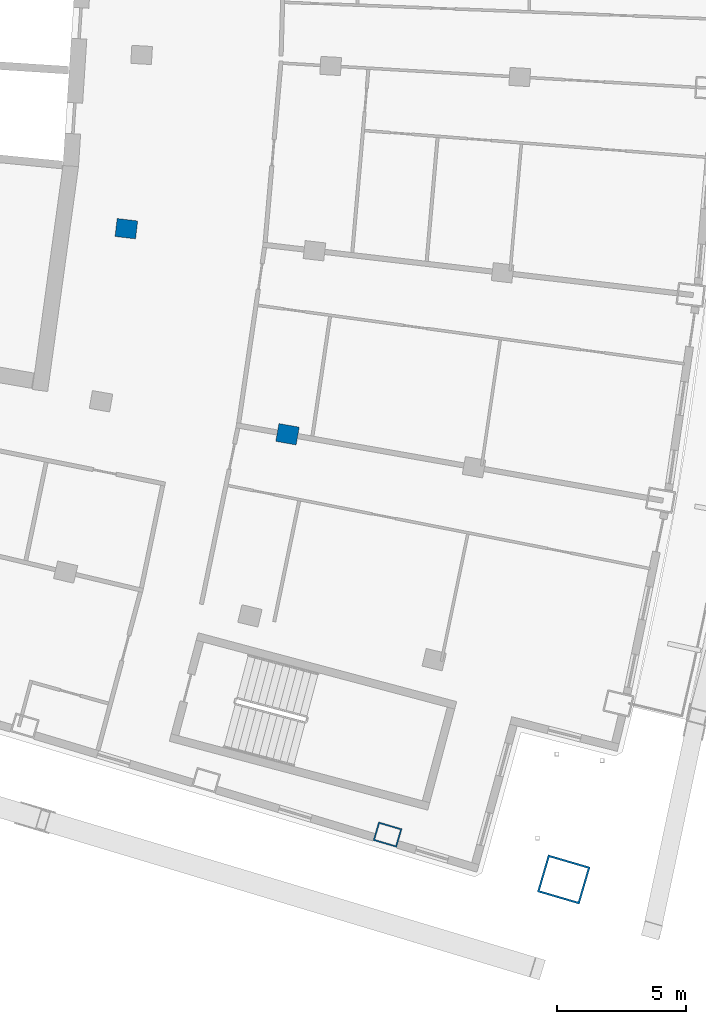
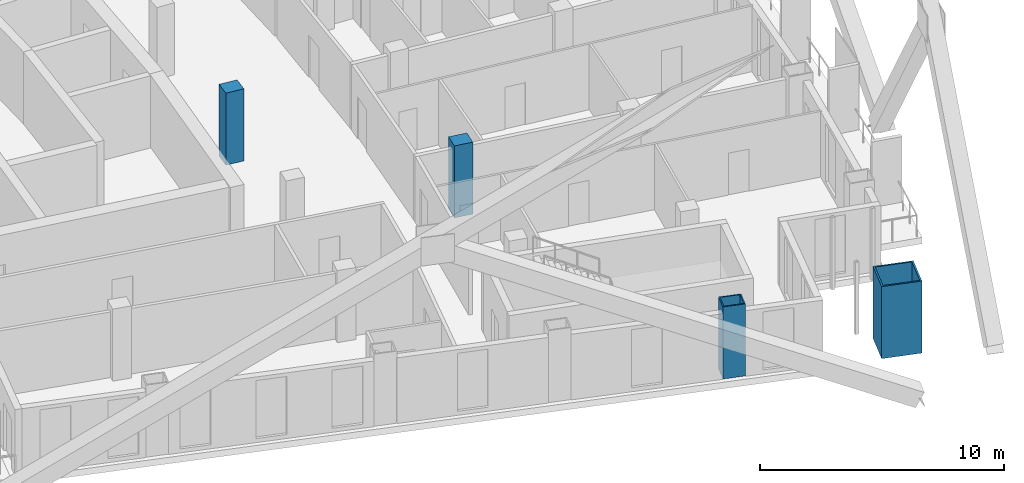
# One storey, part 4 of 20: 4 columns.
"""IFC4 building model written with IfcOpenShell, lengths in metres."""

import ifcopenshell
import ifcopenshell.guid

model = None  # the IFC model being written
_history = None  # IfcOwnerHistory: only IFC2X3 demands one
_inside = {}  # id of a spatial element -> (the spatial element, [elements in it])
_under = {}  # id of a project, library or spatial element -> (it, [spatial elements below it])
_declared = {}  # id of a project -> (the project, [libraries it declares])
_typed = {}  # id of a type object -> (the type object, [elements of that type])
_made_of = {}  # id of a material, layer set ... -> (it, [elements and type objects made of it])


def new_model(schema):
    """Start an empty IFC model of exactly this schema.

    Asked for "IFC4X3", IfcOpenShell would pick the latest addendum, in which some entities
    have other attributes; the version numbers below select the first issue.
    IFC2X3 requires an IfcOwnerHistory on every rooted entity: one is made here for all.
    """
    global model, _history
    if schema == "IFC4X3":
        model = ifcopenshell.file(schema_version=(4, 3, 0, 0))
    else:
        model = ifcopenshell.file(schema=schema)
    _inside.clear()
    _under.clear()
    _declared.clear()
    _typed.clear()
    _made_of.clear()
    _history = None
    if model.schema == "IFC2X3":
        org = make("IfcOrganization", Name="unknown")
        user = make(
            "IfcPersonAndOrganization",
            ThePerson=make("IfcPerson", FamilyName="unknown"),
            TheOrganization=org,
        )
        app = make(
            "IfcApplication",
            ApplicationDeveloper=org,
            Version="unknown",
            ApplicationFullName="unknown",
            ApplicationIdentifier="unknown",
        )
        _history = make(
            "IfcOwnerHistory",
            OwningUser=user,
            OwningApplication=app,
            ChangeAction="ADDED",
            CreationDate=0,
        )
    return model


def make(cls, **values):
    """One entity of the class cls with the attributes given. An attribute that is None is left unset."""
    return model.create_entity(
        cls, **{name: value for name, value in values.items() if value is not None}
    )


def rooted(cls, **values):
    """An entity with a GlobalId (a new one), such as an element, a storey or a relation."""
    return make(cls, GlobalId=ifcopenshell.guid.new(), OwnerHistory=_history, **values)


def si_unit(unit_type, name, prefix=None):
    """IfcSIUnit, for example si_unit("LENGTHUNIT", "METRE", prefix="MILLI")."""
    return make("IfcSIUnit", UnitType=unit_type, Prefix=prefix, Name=name)


def assignment(units):
    """IfcUnitAssignment: the units of a project."""
    return None if units is None else make("IfcUnitAssignment", Units=units)


def point(xyz):
    """IfcCartesianPoint."""
    return None if xyz is None else make("IfcCartesianPoint", Coordinates=xyz)


def direction(xyz):
    """IfcDirection."""
    return None if xyz is None else make("IfcDirection", DirectionRatios=xyz)


def frame(location, z_axis=None, x_axis=None):
    """IfcAxis2Placement3D, a coordinate frame: its origin and axes. An axis left out is left unset."""
    return make(
        "IfcAxis2Placement3D",
        Location=point(location),
        Axis=direction(z_axis),
        RefDirection=direction(x_axis),
    )


def frame_2d(location, x_axis=None):
    """IfcAxis2Placement2D, a coordinate frame in the plane: its origin and x axis."""
    return make(
        "IfcAxis2Placement2D", Location=point(location), RefDirection=direction(x_axis)
    )


def origin():
    """The frame at (0, 0, 0) with its axes left unset."""
    return frame((0.0, 0.0, 0.0))


def origin_2d():
    """The frame at (0, 0) in the plane with its x axis left unset."""
    return frame_2d((0.0, 0.0))


def place(relative_to, where):
    """IfcLocalPlacement: puts the frame where relative to a parent placement (None: the world)."""
    return make(
        "IfcLocalPlacement", PlacementRelTo=relative_to, RelativePlacement=where
    )


def context(
    kind, dimensions, precision=None, world=None, true_north=None, identifier=None
):
    """IfcGeometricRepresentationContext, for example the 3D "Model" context."""
    return make(
        "IfcGeometricRepresentationContext",
        ContextIdentifier=identifier,
        ContextType=kind,
        CoordinateSpaceDimension=dimensions,
        Precision=precision,
        WorldCoordinateSystem=world,
        TrueNorth=true_north,
    )


def subcontext(parent, identifier, kind, view, scale=None):
    """IfcGeometricRepresentationSubContext, for example "Body" below "Model"."""
    return make(
        "IfcGeometricRepresentationSubContext",
        ContextIdentifier=identifier,
        ContextType=kind,
        ParentContext=parent,
        TargetScale=scale,
        TargetView=view,
    )


def project(units=None, contexts=None):
    """IfcProject with its units and contexts."""
    return rooted(
        "IfcProject",
        Name="project",
        RepresentationContexts=contexts,
        UnitsInContext=assignment(units),
    )


def spatial(cls, under=None, at=None, **own):
    """A site, building, storey or space (cls), placed at a placement, below another one or the project."""
    s = rooted(cls, ObjectPlacement=at, **own)
    if under is not None:
        _under.setdefault(under.id(), (under, []))[1].append(s)
    return s


def profile(cls, at=None, kind="AREA", **sizes):
    """A parametric profile (cls). Its sizes go by their IFC names, for example OverallWidth=200.0."""
    return make(cls, ProfileType=kind, Position=at, **sizes)


def rectangle(**sizes):
    """IfcRectangleProfileDef."""
    return profile("IfcRectangleProfileDef", **sizes)


def hollow_rectangle(**sizes):
    """IfcRectangleHollowProfileDef."""
    return profile("IfcRectangleHollowProfileDef", **sizes)


def extrude(swept, where, along, depth):
    """IfcExtrudedAreaSolid: the profile swept, set in the frame where, extruded along a direction by depth."""
    return make(
        "IfcExtrudedAreaSolid",
        SweptArea=swept,
        Position=where,
        ExtrudedDirection=direction(along),
        Depth=depth,
    )


def shape(context_of_items, identifier, shape_type, items):
    """IfcShapeRepresentation: the items that make up one representation, for example the "Body"."""
    return make(
        "IfcShapeRepresentation",
        ContextOfItems=context_of_items,
        RepresentationIdentifier=identifier,
        RepresentationType=shape_type,
        Items=items,
    )


def material(Name=None, Category=None):
    """IfcMaterial."""
    return make("IfcMaterial", Name=Name, Category=Category)


def material_profile(
    of_material, cross_section, Name=None, Category=None, Priority=None
):
    """IfcMaterialProfile: a cross section and its material."""
    return make(
        "IfcMaterialProfile",
        Name=Name,
        Material=of_material,
        Profile=cross_section,
        Priority=Priority,
        Category=Category,
    )


def profile_set(profiles, Name=None, composite=None):
    """IfcMaterialProfileSet."""
    return make(
        "IfcMaterialProfileSet",
        Name=Name,
        MaterialProfiles=profiles,
        CompositeProfile=composite,
    )


def made_of(thing, what):
    """Note that an element or type object is made of a material, layer set ...; save() writes the relation."""
    if what is not None:
        _made_of.setdefault(what.id(), (what, []))[1].append(thing)
    return thing


def type_object(cls, material=None, **own):
    """A type object (cls), such as IfcWallType, which elements share."""
    return made_of(rooted(cls, **own), material)


def element(
    cls,
    number,
    at=None,
    inside=None,
    cuts=None,
    type_object=None,
    material=None,
    context=None,
    identifier="Body",
    shape_type=None,
    held_by="IfcProductDefinitionShape",
    body=None,
    shapes=None,
    **own,
):
    """One element of the class cls, such as IfcWall. Its Tag is "e" and its number.

    at: its placement. inside: the storey or other place that contains it. cuts: it is an
    opening in that element (IfcRelVoidsElement). A single representation is given by context,
    identifier, shape_type and body (its items); several are given by shapes. held_by: the class
    of the entity that holds the representations. save() writes the other relations.
    """
    e = rooted(cls, Tag="e%d" % number, ObjectPlacement=at, **own)
    if body is not None:
        shapes = [shape(context, identifier, shape_type, body)]
    if shapes is not None:
        e.Representation = make(held_by, Representations=shapes)
    if inside is not None:
        _inside.setdefault(inside.id(), (inside, []))[1].append(e)
    if cuts is not None:
        rooted(
            "IfcRelVoidsElement", RelatingBuildingElement=cuts, RelatedOpeningElement=e
        )
    if type_object is not None:
        _typed.setdefault(type_object.id(), (type_object, []))[1].append(e)
    return made_of(e, material)


def aggregate(whole, parts):
    """IfcRelAggregates: a whole, such as a stair, and the parts it consists of."""
    return rooted("IfcRelAggregates", RelatingObject=whole, RelatedObjects=parts)


def save(model, path):
    """Write the relations noted so far, then the file.

    IfcRelAggregates (storeys below a building ...), IfcRelContainedInSpatialStructure (elements
    in a storey), IfcRelDefinesByType, IfcRelAssociatesMaterial and IfcRelDeclares: one each for
    every whole, place, type object, material and project.
    """
    for whole, parts in _under.values():
        aggregate(whole, parts)
    for where, things in _inside.values():
        rooted(
            "IfcRelContainedInSpatialStructure",
            RelatedElements=things,
            RelatingStructure=where,
        )
    for kind, things in _typed.values():
        rooted("IfcRelDefinesByType", RelatedObjects=things, RelatingType=kind)
    for what, things in _made_of.values():
        rooted("IfcRelAssociatesMaterial", RelatedObjects=things, RelatingMaterial=what)
    for by, libraries in _declared.values():
        rooted("IfcRelDeclares", RelatingContext=by, RelatedDefinitions=libraries)
    model.write(path)


model = new_model("IFC4")

# Units and contexts
model_context = context("Model", 3, precision=1e-05, world=origin(), true_north=direction((0.0, 1.0)))
body_context = subcontext(model_context, "Body", "Model", "MODEL_VIEW")
ifc_project = project(units=[si_unit("LENGTHUNIT", "METRE"), si_unit("AREAUNIT", "SQUARE_METRE"), si_unit("VOLUMEUNIT", "CUBIC_METRE"), si_unit("PLANEANGLEUNIT", "RADIAN"), si_unit("MASSUNIT", "GRAM", prefix="KILO")], contexts=[model_context])

# Site, building, storey
site_placement = place(None, origin())
site = spatial("IfcSite", under=ifc_project, at=site_placement, CompositionType="ELEMENT")
building_placement = place(site_placement, origin())
building = spatial("IfcBuilding", under=site, at=building_placement, Name="Alderwake Tower", CompositionType="ELEMENT")
storey_placement = place(building_placement, frame((0.0, 0.0, 210.800048828125)))
storey = spatial("IfcBuildingStorey", under=building, at=storey_placement, Name="L52", CompositionType="ELEMENT", Elevation=210.800048828125)

# Columns
ifc_material_1 = material(Name="Steel ASTM A572 Grade 50 concrete filled C70/85", Category="concrete")
ifc_material_profile_1 = material_profile(ifc_material_1, hollow_rectangle(XDim=0.75, YDim=0.949951171875, WallThickness=0.054931640625, at=origin_2d()), Name="BOX 950X750X55")
ifc_profile_set_1 = profile_set([ifc_material_profile_1], Name="Steel ASTM A572 Grade 50 concrete filled C70/85")
column_type_1 = type_object("IfcColumnType", Name="End column Z4", PredefinedType="COLUMN", material=ifc_profile_set_1)
column_1_placement = place(storey_placement, frame((45.127685546875, 24.0595703125, 0.0), z_axis=(0.0, 0.0, 1.0), x_axis=(0.283141682853, 0.959078092457, 0.0)))
element("IfcColumn", 1, at=column_1_placement, inside=storey, type_object=column_type_1, Name="Column R02-C4", PredefinedType="COLUMN", context=body_context, shape_type="SweptSolid", body=[
    extrude(hollow_rectangle(XDim=0.75, YDim=0.949951171875, WallThickness=0.054931640625, at=origin_2d()), origin(), (0.0, 0.0, 1.0), 3.599853515625),
])
ifc_material_2 = material(Name="Concrete C70/85", Category="concrete")
ifc_material_profile_2 = material_profile(ifc_material_2, rectangle(XDim=0.699951171875, YDim=0.800048828125, at=origin_2d()), Name="RC 800X700")
ifc_profile_set_2 = profile_set([ifc_material_profile_2], Name="Concrete C70/85")
column_type_2 = type_object("IfcColumnType", Name="Interior column Z4", PredefinedType="COLUMN", material=ifc_profile_set_2)
for number, where, z_axis, x_axis, name in (
    (2, (41.252685546875, 39.5615234375, 0.0), (0.0, 0.0, 1.0), (0.174108800747, 0.984726421654, 0.0), "Column R04-C3"),
    (3, (35.0126953125, 47.5205078125, 0.0), (0.0, 0.0, 1.0), (0.116402054316, 0.993202175668, 0.0), "Column R05-C2"),
):
    element("IfcColumn", number, at=place(storey_placement, frame(where, z_axis=z_axis, x_axis=x_axis)), inside=storey, type_object=column_type_2, Name=name, PredefinedType="COLUMN", context=body_context, shape_type="SweptSolid", body=[
        extrude(rectangle(XDim=0.699951171875, YDim=0.800048828125, at=origin_2d()), origin(), (0.0, 0.0, 1.0), 3.599853515625),
    ])
ifc_material_3 = material(Name="Steel ASTM A572 Grade 50 concrete filled C70/85", Category="concrete")
ifc_material_profile_3 = material_profile(ifc_material_3, hollow_rectangle(XDim=1.5, YDim=1.699951171875, WallThickness=0.074951171875, at=origin_2d()), Name="BOX 1700X1500X75")
ifc_profile_set_3 = profile_set([ifc_material_profile_3], Name="Steel ASTM A572 Grade 50 concrete filled C70/85")
column_type_3 = type_object("IfcColumnType", Name="Mega column Z4", PredefinedType="COLUMN", material=ifc_profile_set_3)
column_2_placement = place(storey_placement, frame((51.9482421875, 22.322998046875, 0.0), z_axis=(0.0, 0.0, 1.0), x_axis=(0.281288140428, 0.959623354267, 0.0)))
element("IfcColumn", 4, at=column_2_placement, inside=storey, type_object=column_type_3, Name="Column R02-C5", PredefinedType="COLUMN", context=body_context, shape_type="SweptSolid", body=[
    extrude(hollow_rectangle(XDim=1.5, YDim=1.699951171875, WallThickness=0.074951171875, at=origin_2d()), origin(), (0.0, 0.0, 1.0), 3.599853515625),
])

save(model, "model.ifc")
